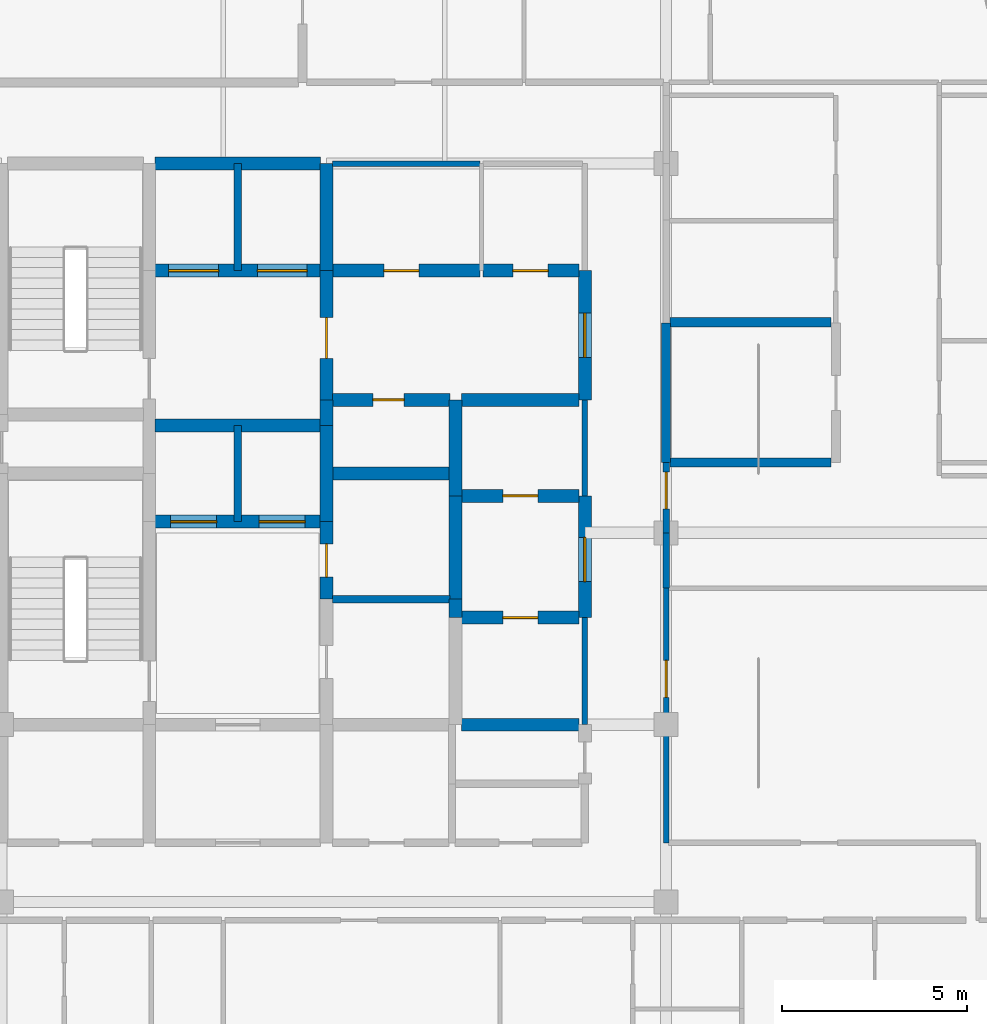
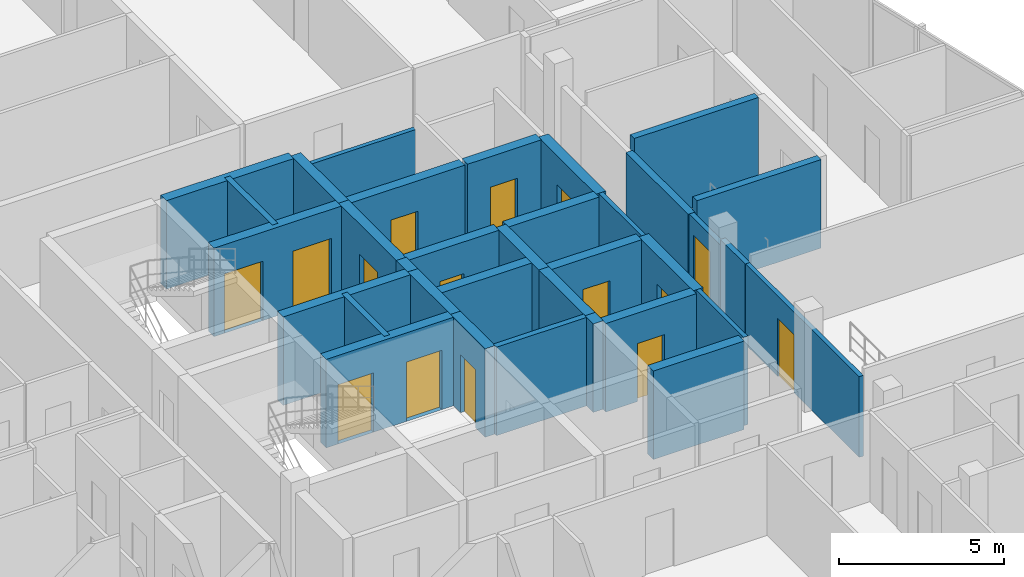
# One storey, part 24 of 27: 34 walls, 15 doors, 15 openings.
"""IFC4 building model written with IfcOpenShell, lengths in metres."""

from ifc_helpers import new_model, si_unit, direction, frame, frame_2d, origin, place, context, subcontext, project, spatial, rectangle, extrude, material, layer, layer_set, type_object, element, fill, save


model = new_model("IFC4")

# Units and contexts
model_context = context("Model", 3, precision=1e-05, world=origin(), true_north=direction((0.0, 1.0)))
body_context = subcontext(model_context, "Body", "Model", "MODEL_VIEW")
ifc_project = project(units=[si_unit("LENGTHUNIT", "METRE"), si_unit("AREAUNIT", "SQUARE_METRE"), si_unit("VOLUMEUNIT", "CUBIC_METRE"), si_unit("PLANEANGLEUNIT", "RADIAN"), si_unit("MASSUNIT", "GRAM", prefix="KILO")], contexts=[model_context])

# Site, building, storey
site_placement = place(None, origin())
site = spatial("IfcSite", under=ifc_project, at=site_placement, CompositionType="ELEMENT")
building_placement = place(site_placement, origin())
building = spatial("IfcBuilding", under=site, at=building_placement, Name="Keshet Zoharim Tower", CompositionType="ELEMENT")
storey_placement = place(building_placement, frame((0.0, 0.0, 311.0)))
storey = spatial("IfcBuildingStorey", under=building, at=storey_placement, Name="L78", CompositionType="ELEMENT", Elevation=311.0)

# Walls
ifc_material_1 = material(Name="Gypsum Plasterboard", Category="gypsum")
ifc_layer_1 = layer(ifc_material_1, 0.14990234375)
ifc_layer_set_1 = layer_set([ifc_layer_1], Name="Gypsum Plasterboard")
wall_type_1 = type_object("IfcWallType", Name="WL-CLIN-150", PredefinedType="STANDARD", material=ifc_layer_set_1)
wall_1_placement = place(storey_placement, frame((30.800048828125, 22.699951171875, 0.0), z_axis=(0.0, 0.0, 1.0), x_axis=(0.0, 1.0, 0.0)))
element("IfcWall", 1, at=wall_1_placement, inside=storey, type_object=wall_type_1, Name="L78 Interior Wall 055", PredefinedType="STANDARD", context=body_context, shape_type="SweptSolid", body=[
    extrude(rectangle(XDim=2.900146484375, YDim=0.14990234375, at=frame_2d((1.4501953125, 0.0))), origin(), (0.0, 0.0, 1.0), 3.280029296875),
])
wall_2_placement = place(storey_placement, frame((30.800048828125, 28.89990234375, 0.0), z_axis=(0.0, 0.0, 1.0), x_axis=(0.0, 1.0, 0.0)))
element("IfcWall", 2, at=wall_2_placement, inside=storey, type_object=wall_type_1, Name="L78 Interior Wall 057", PredefinedType="STANDARD", context=body_context, shape_type="SweptSolid", body=[
    extrude(rectangle(XDim=2.60009765625, YDim=0.14990234375, at=frame_2d((1.300048828125, 0.0))), origin(), (0.0, 0.0, 1.0), 3.280029296875),
])

# Wall, opening, door
wall_3_placement = place(storey_placement, frame((33.0, 19.5, 0.0), z_axis=(0.0, 0.0, 1.0), x_axis=(0.0, 1.0, 0.0)))
wall_3 = element("IfcWall", 3, at=wall_3_placement, inside=storey, type_object=wall_type_1, Name="L78 Interior Wall 063", PredefinedType="STANDARD", context=body_context, shape_type="SweptSolid", body=[
    extrude(rectangle(XDim=6.89990234375, YDim=0.14990234375, at=frame_2d((3.449951171875, 0.0))), origin(), (0.0, 0.0, 1.0), 2.989990234375),
])
opening_1_placement = place(wall_3_placement, frame((3.944091796875, 0.0, 0.0)))
opening_1 = element("IfcOpeningElement", 4, at=opening_1_placement, cuts=wall_3, Name="Opening D-F310", PredefinedType="OPENING", context=body_context, shape_type="SweptSolid", body=[
    extrude(rectangle(XDim=1.0, YDim=2.14990234375, at=frame_2d((0.5, 1.074951171875))), frame((0.0, 0.0849609375, 0.0), z_axis=(0.0, -1.0, 0.0), x_axis=(1.0, 0.0, 0.0)), (0.0, 0.0, 1.0), 0.169921875),
])
ifc_material_2 = material(Name="Hardwood Timber", Category="wood")
door_type_1 = type_object("IfcDoorType", Name="DR-FD30-100", OperationType="NOTDEFINED", PredefinedType="DOOR", material=ifc_material_2)
door_1_placement = place(opening_1_placement, origin())
door_1 = element("IfcDoor", 5, at=door_1_placement, inside=storey, type_object=door_type_1, Name="L78 South West Residents Services Suite Door 2", OperationType="SINGLE_SWING_LEFT", OverallHeight=2.14990234375, OverallWidth=1.0, PredefinedType="DOOR", context=body_context, shape_type="SweptSolid", body=[
    extrude(rectangle(XDim=1.0, YDim=2.14990234375, at=frame_2d((0.5, 1.074951171875))), frame((0.0, 0.02490234375, 0.0), z_axis=(0.0, -1.0, 0.0), x_axis=(1.0, 0.0, 0.0)), (0.0, 0.0, 1.0), 0.050048828125),
])
fill(opening_1, door_1)

# Wall
wall_4_placement = place(storey_placement, frame((23.9599609375, 37.89990234375, 0.0), z_axis=(0.0, 0.0, 1.0), x_axis=(1.0, 0.0, 0.0)))
element("IfcWall", 6, at=wall_4_placement, inside=storey, type_object=wall_type_1, Name="L78 Interior Wall 144", PredefinedType="STANDARD", context=body_context, shape_type="SweptSolid", body=[
    extrude(rectangle(XDim=3.9951171875, YDim=0.14990234375, at=frame_2d((1.99755859375, 0.0))), origin(), (0.0, 0.0, 1.0), 2.780029296875),
])

# Wall, opening, door
ifc_material_3 = material(Name="Concrete C60/75", Category="concrete")
ifc_layer_2 = layer(ifc_material_3, 0.35009765625)
ifc_layer_set_2 = layer_set([ifc_layer_2], Name="Concrete C60/75")
wall_type_2 = type_object("IfcWallType", Name="WL-CORE-350", PredefinedType="SHEAR", material=ifc_layer_set_2)
wall_5_placement = place(storey_placement, frame((23.800048828125, 26.10009765625, 0.0), z_axis=(0.0, 0.0, 1.0), x_axis=(0.0, 1.0, 0.0)))
wall_5 = element("IfcWall", 7, at=wall_5_placement, inside=storey, type_object=wall_type_2, Name="L78 Core Shear Wall 039", PredefinedType="SHEAR", context=body_context, shape_type="SweptSolid", body=[
    extrude(rectangle(XDim=2.099853515625, YDim=0.35009765625, at=frame_2d((1.0498046875, 0.0))), origin(), (0.0, 0.0, 1.0), 3.280029296875),
])
opening_2_placement = place(wall_5_placement, frame((0.60009765625, 0.0, 0.0)))
opening_2 = element("IfcOpeningElement", 8, at=opening_2_placement, cuts=wall_5, Name="Opening D-F690", PredefinedType="OPENING", context=body_context, shape_type="SweptSolid", body=[
    extrude(rectangle(XDim=0.89990234375, YDim=2.14990234375, at=frame_2d((0.449951171875, 1.074951171875))), frame((0.0, 0.18505859375, 0.0), z_axis=(0.0, -1.0, 0.0), x_axis=(1.0, 0.0, 0.0)), (0.0, 0.0, 1.0), 0.3701171875),
])
door_type_2 = type_object("IfcDoorType", Name="DR-FD60-090", OperationType="NOTDEFINED", PredefinedType="DOOR", material=ifc_material_2)
door_2_placement = place(opening_2_placement, origin())
door_2 = element("IfcDoor", 9, at=door_2_placement, inside=storey, type_object=door_type_2, Name="L78 Core Electrical Room Door", OperationType="SINGLE_SWING_RIGHT", OverallHeight=2.14990234375, OverallWidth=0.89990234375, PredefinedType="DOOR", context=body_context, shape_type="SweptSolid", body=[
    extrude(rectangle(XDim=0.89990234375, YDim=2.14990234375, at=frame_2d((0.449951171875, 1.074951171875))), frame((0.0, 0.02490234375, 0.0), z_axis=(0.0, -1.0, 0.0), x_axis=(1.0, 0.0, 0.0)), (0.0, 0.0, 1.0), 0.050048828125),
])
fill(opening_2, door_2)

# Walls
wall_6_placement = place(storey_placement, frame((23.800048828125, 28.199951171875, 0.0), z_axis=(0.0, 0.0, 1.0), x_axis=(0.0, 1.0, 0.0)))
element("IfcWall", 10, at=wall_6_placement, inside=storey, type_object=wall_type_2, Name="L78 Core Shear Wall 040", PredefinedType="SHEAR", context=body_context, shape_type="SweptSolid", body=[
    extrude(rectangle(XDim=2.60009765625, YDim=0.35009765625, at=frame_2d((1.300048828125, 0.0))), origin(), (0.0, 0.0, 1.0), 3.280029296875),
])
wall_7_placement = place(storey_placement, frame((23.800048828125, 30.800048828125, 0.0), z_axis=(0.0, 0.0, 1.0), x_axis=(0.0, 1.0, 0.0)))
element("IfcWall", 11, at=wall_7_placement, inside=storey, type_object=wall_type_2, Name="L78 Core Shear Wall 041", PredefinedType="SHEAR", context=body_context, shape_type="SweptSolid", body=[
    extrude(rectangle(XDim=0.699951171875, YDim=0.35009765625, at=frame_2d((0.35009765625, 0.0))), origin(), (0.0, 0.0, 1.0), 3.280029296875),
])

# Wall, opening, door
wall_8_placement = place(storey_placement, frame((23.800048828125, 31.5, 0.0), z_axis=(0.0, 0.0, 1.0), x_axis=(0.0, 1.0, 0.0)))
wall_8 = element("IfcWall", 12, at=wall_8_placement, inside=storey, type_object=wall_type_2, Name="L78 Core Shear Wall 042", PredefinedType="SHEAR", context=body_context, shape_type="SweptSolid", body=[
    extrude(rectangle(XDim=3.5, YDim=0.35009765625, at=frame_2d((1.75, 0.0))), origin(), (0.0, 0.0, 1.0), 3.280029296875),
])
opening_3_placement = place(wall_8_placement, frame((1.126953125, 0.0, 0.0)))
opening_3 = element("IfcOpeningElement", 13, at=opening_3_placement, cuts=wall_8, Name="Opening D-F611", PredefinedType="OPENING", context=body_context, shape_type="SweptSolid", body=[
    extrude(rectangle(XDim=1.10009765625, YDim=2.14990234375, at=frame_2d((0.550048828125, 1.074951171875))), frame((0.0, 0.18505859375, 0.0), z_axis=(0.0, -1.0, 0.0), x_axis=(1.0, 0.0, 0.0)), (0.0, 0.0, 1.0), 0.3701171875),
])
door_type_3 = type_object("IfcDoorType", Name="DR-FD60-110", OperationType="NOTDEFINED", PredefinedType="DOOR", material=ifc_material_2)
door_3_placement = place(opening_3_placement, origin())
door_3 = element("IfcDoor", 14, at=door_3_placement, inside=storey, type_object=door_type_3, Name="L78 Firefighting Lobby Fire Door", OperationType="SINGLE_SWING_LEFT", OverallHeight=2.14990234375, OverallWidth=1.10009765625, PredefinedType="DOOR", context=body_context, shape_type="SweptSolid", body=[
    extrude(rectangle(XDim=1.10009765625, YDim=2.14990234375, at=frame_2d((0.550048828125, 1.074951171875))), frame((0.0, 0.02490234375, 0.0), z_axis=(0.0, -1.0, 0.0), x_axis=(1.0, 0.0, 0.0)), (0.0, 0.0, 1.0), 0.050048828125),
])
fill(opening_3, door_3)

# Walls
wall_9_placement = place(storey_placement, frame((23.800048828125, 35.0, 0.0), z_axis=(0.0, 0.0, 1.0), x_axis=(0.0, 1.0, 0.0)))
element("IfcWall", 15, at=wall_9_placement, inside=storey, type_object=wall_type_2, Name="L78 Core Shear Wall 043", PredefinedType="SHEAR", context=body_context, shape_type="SweptSolid", body=[
    extrude(rectangle(XDim=2.89990234375, YDim=0.35009765625, at=frame_2d((1.449951171875, 0.0))), origin(), (0.0, 0.0, 1.0), 3.280029296875),
])
wall_10_placement = place(storey_placement, frame((27.300048828125, 25.60009765625, 0.0), z_axis=(0.0, 0.0, 1.0), x_axis=(0.0, 1.0, 0.0)))
element("IfcWall", 16, at=wall_10_placement, inside=storey, type_object=wall_type_2, Name="L78 Core Shear Wall 047", PredefinedType="SHEAR", context=body_context, shape_type="SweptSolid", body=[
    extrude(rectangle(XDim=0.5, YDim=0.35009765625, at=frame_2d((0.25, 0.0))), origin(), (0.0, 0.0, 1.0), 3.280029296875),
])
wall_11_placement = place(storey_placement, frame((27.300048828125, 26.10009765625, 0.0), z_axis=(0.0, 0.0, 1.0), x_axis=(0.0, 1.0, 0.0)))
element("IfcWall", 17, at=wall_11_placement, inside=storey, type_object=wall_type_2, Name="L78 Core Shear Wall 048", PredefinedType="SHEAR", context=body_context, shape_type="SweptSolid", body=[
    extrude(rectangle(XDim=2.7998046875, YDim=0.35009765625, at=frame_2d((1.39990234375, 0.0))), origin(), (0.0, 0.0, 1.0), 3.280029296875),
])
wall_12_placement = place(storey_placement, frame((27.300048828125, 28.89990234375, 0.0), z_axis=(0.0, 0.0, 1.0), x_axis=(0.0, 1.0, 0.0)))
element("IfcWall", 18, at=wall_12_placement, inside=storey, type_object=wall_type_2, Name="L78 Core Shear Wall 049", PredefinedType="SHEAR", context=body_context, shape_type="SweptSolid", body=[
    extrude(rectangle(XDim=2.60009765625, YDim=0.35009765625, at=frame_2d((1.300048828125, 0.0))), origin(), (0.0, 0.0, 1.0), 3.280029296875),
])

# Wall, opening, door
wall_13_placement = place(storey_placement, frame((30.800048828125, 25.60009765625, 0.0), z_axis=(0.0, 0.0, 1.0), x_axis=(0.0, 1.0, 0.0)))
wall_13 = element("IfcWall", 19, at=wall_13_placement, inside=storey, type_object=wall_type_2, Name="L78 Core Shear Wall 056", PredefinedType="SHEAR", context=body_context, shape_type="SweptSolid", body=[
    extrude(rectangle(XDim=3.2998046875, YDim=0.35009765625, at=frame_2d((1.64990234375, 0.0))), origin(), (0.0, 0.0, 1.0), 3.280029296875),
])
opening_4_placement = place(wall_13_placement, frame((0.97802734375, 0.0, 0.0)))
opening_4 = element("IfcOpeningElement", 20, at=opening_4_placement, cuts=wall_13, Name="Opening D-F612", PredefinedType="OPENING", context=body_context, shape_type="SweptSolid", body=[
    extrude(rectangle(XDim=1.199951171875, YDim=2.199951171875, at=frame_2d((0.60009765625, 1.10009765625))), frame((0.0, 0.18505859375, 0.0), z_axis=(0.0, -1.0, 0.0), x_axis=(1.0, 0.0, 0.0)), (0.0, 0.0, 1.0), 0.3701171875),
])
door_type_4 = type_object("IfcDoorType", Name="DR-FD60-120", OperationType="NOTDEFINED", PredefinedType="DOOR", material=ifc_material_2)
door_4_placement = place(opening_4_placement, origin())
door_4 = element("IfcDoor", 21, at=door_4_placement, inside=storey, type_object=door_type_4, Name="L78 East Lift Lobby Fire Door", OperationType="SINGLE_SWING_RIGHT", OverallHeight=2.199951171875, OverallWidth=1.199951171875, PredefinedType="DOOR", context=body_context, shape_type="SweptSolid", body=[
    extrude(rectangle(XDim=1.199951171875, YDim=2.199951171875, at=frame_2d((0.60009765625, 1.10009765625))), frame((0.0, 0.02490234375, 0.0), z_axis=(0.0, -1.0, 0.0), x_axis=(1.0, 0.0, 0.0)), (0.0, 0.0, 1.0), 0.050048828125),
])
fill(opening_4, door_4)

wall_14_placement = place(storey_placement, frame((30.800048828125, 31.5, 0.0), z_axis=(0.0, 0.0, 1.0), x_axis=(0.0, 1.0, 0.0)))
wall_14 = element("IfcWall", 22, at=wall_14_placement, inside=storey, type_object=wall_type_2, Name="L78 Core Shear Wall 058", PredefinedType="SHEAR", context=body_context, shape_type="SweptSolid", body=[
    extrude(rectangle(XDim=3.5, YDim=0.35009765625, at=frame_2d((1.75, 0.0))), origin(), (0.0, 0.0, 1.0), 3.280029296875),
])
opening_5_placement = place(wall_14_placement, frame((1.14990234375, 0.0, 0.0)))
opening_5 = element("IfcOpeningElement", 23, at=opening_5_placement, cuts=wall_14, Name="Opening D-F612", PredefinedType="OPENING", context=body_context, shape_type="SweptSolid", body=[
    extrude(rectangle(XDim=1.199951171875, YDim=2.199951171875, at=frame_2d((0.60009765625, 1.10009765625))), frame((0.0, 0.18505859375, 0.0), z_axis=(0.0, -1.0, 0.0), x_axis=(1.0, 0.0, 0.0)), (0.0, 0.0, 1.0), 0.3701171875),
])
door_5_placement = place(opening_5_placement, origin())
door_5 = element("IfcDoor", 24, at=door_5_placement, inside=storey, type_object=door_type_4, Name="L78 North Lift Lobby East Fire Door", OperationType="SINGLE_SWING_LEFT", OverallHeight=2.199951171875, OverallWidth=1.199951171875, PredefinedType="DOOR", context=body_context, shape_type="SweptSolid", body=[
    extrude(rectangle(XDim=1.199951171875, YDim=2.199951171875, at=frame_2d((0.60009765625, 1.10009765625))), frame((0.0, 0.02490234375, 0.0), z_axis=(0.0, -1.0, 0.0), x_axis=(1.0, 0.0, 0.0)), (0.0, 0.0, 1.0), 0.050048828125),
])
fill(opening_5, door_5)

# Wall
wall_15_placement = place(storey_placement, frame((27.4599609375, 22.699951171875, 0.0), z_axis=(0.0, 0.0, 1.0), x_axis=(1.0, 0.0, 0.0)))
element("IfcWall", 25, at=wall_15_placement, inside=storey, type_object=wall_type_2, Name="L78 Core Shear Wall 111", PredefinedType="SHEAR", context=body_context, shape_type="SweptSolid", body=[
    extrude(rectangle(XDim=3.179931640625, YDim=0.35009765625, at=frame_2d((1.58984375, 0.0))), origin(), (0.0, 0.0, 1.0), 3.280029296875),
])

# Wall, opening, door
wall_16_placement = place(storey_placement, frame((27.4599609375, 25.60009765625, 0.0), z_axis=(0.0, 0.0, 1.0), x_axis=(1.0, 0.0, 0.0)))
wall_16 = element("IfcWall", 26, at=wall_16_placement, inside=storey, type_object=wall_type_2, Name="L78 Core Shear Wall 114", PredefinedType="SHEAR", context=body_context, shape_type="SweptSolid", body=[
    extrude(rectangle(XDim=3.179931640625, YDim=0.35009765625, at=frame_2d((1.58984375, 0.0))), origin(), (0.0, 0.0, 1.0), 3.280029296875),
])
opening_6_placement = place(wall_16_placement, frame((1.114990234375, 0.0, 0.0)))
opening_6 = element("IfcOpeningElement", 27, at=opening_6_placement, cuts=wall_16, Name="Opening D-F695", PredefinedType="OPENING", context=body_context, shape_type="SweptSolid", body=[
    extrude(rectangle(XDim=0.949951171875, YDim=2.14990234375, at=frame_2d((0.47509765625, 1.074951171875))), frame((0.0, 0.18505859375, 0.0), z_axis=(0.0, -1.0, 0.0), x_axis=(1.0, 0.0, 0.0)), (0.0, 0.0, 1.0), 0.3701171875),
])
door_type_5 = type_object("IfcDoorType", Name="DR-FD60-095", OperationType="NOTDEFINED", PredefinedType="DOOR", material=ifc_material_2)
door_6_placement = place(opening_6_placement, origin())
door_6 = element("IfcDoor", 28, at=door_6_placement, inside=storey, type_object=door_type_5, Name="L78 Study Alcove Door", OperationType="SINGLE_SWING_RIGHT", OverallHeight=2.14990234375, OverallWidth=0.949951171875, PredefinedType="DOOR", context=body_context, shape_type="SweptSolid", body=[
    extrude(rectangle(XDim=0.949951171875, YDim=2.14990234375, at=frame_2d((0.47509765625, 1.074951171875))), frame((0.0, 0.02490234375, 0.0), z_axis=(0.0, -1.0, 0.0), x_axis=(1.0, 0.0, 0.0)), (0.0, 0.0, 1.0), 0.050048828125),
])
fill(opening_6, door_6)

# Wall, openings, doors
wall_17_placement = place(storey_placement, frame((19.159912109375, 28.199951171875, 0.0), z_axis=(0.0, 0.0, 1.0), x_axis=(1.0, 0.0, 0.0)))
wall_17 = element("IfcWall", 29, at=wall_17_placement, inside=storey, type_object=wall_type_2, Name="L78 Core Shear Wall 119", PredefinedType="SHEAR", context=body_context, shape_type="SweptSolid", body=[
    extrude(rectangle(XDim=4.47998046875, YDim=0.35009765625, at=frame_2d((2.239990234375, 0.0))), origin(), (0.0, 0.0, 1.0), 3.280029296875),
])
opening_7_placement = place(wall_17_placement, frame((0.4150390625, 0.0, 0.0)))
opening_7 = element("IfcOpeningElement", 30, at=opening_7_placement, cuts=wall_17, Name="Opening LD-01", PredefinedType="OPENING", context=body_context, shape_type="SweptSolid", body=[
    extrude(rectangle(XDim=1.25, YDim=2.199951171875, at=frame_2d((0.625, 1.10009765625))), frame((0.0, 0.18505859375, 0.0), z_axis=(0.0, -1.0, 0.0), x_axis=(1.0, 0.0, 0.0)), (0.0, 0.0, 1.0), 0.3701171875),
])
opening_8_placement = place(wall_17_placement, frame((2.81494140625, 0.0, 0.0)))
opening_8 = element("IfcOpeningElement", 31, at=opening_8_placement, cuts=wall_17, Name="Opening LD-01", PredefinedType="OPENING", context=body_context, shape_type="SweptSolid", body=[
    extrude(rectangle(XDim=1.25, YDim=2.199951171875, at=frame_2d((0.625, 1.10009765625))), frame((0.0, 0.18505859375, 0.0), z_axis=(0.0, -1.0, 0.0), x_axis=(1.0, 0.0, 0.0)), (0.0, 0.0, 1.0), 0.3701171875),
])
ifc_material_4 = material(Name="Steel S355", Category="steel")
door_type_6 = type_object("IfcDoorType", Name="DR-LD01-125", OperationType="DOUBLE_DOOR_SLIDING", PredefinedType="DOOR", material=ifc_material_4)
door_7_placement = place(opening_7_placement, origin())
door_7 = element("IfcDoor", 32, at=door_7_placement, inside=storey, type_object=door_type_6, Name="L78 Passenger Lift Landing Door LF-09", OperationType="DOUBLE_DOOR_SLIDING", OverallHeight=2.199951171875, OverallWidth=1.25, PredefinedType="DOOR", context=body_context, shape_type="SweptSolid", body=[
    extrude(rectangle(XDim=1.25, YDim=2.199951171875, at=frame_2d((0.625, 1.10009765625))), frame((0.0, 0.02490234375, 0.0), z_axis=(0.0, -1.0, 0.0), x_axis=(1.0, 0.0, 0.0)), (0.0, 0.0, 1.0), 0.050048828125),
])
fill(opening_7, door_7)
door_8_placement = place(opening_8_placement, origin())
door_8 = element("IfcDoor", 33, at=door_8_placement, inside=storey, type_object=door_type_6, Name="L78 Passenger Lift Landing Door LF-10", OperationType="DOUBLE_DOOR_SLIDING", OverallHeight=2.199951171875, OverallWidth=1.25, PredefinedType="DOOR", context=body_context, shape_type="SweptSolid", body=[
    extrude(rectangle(XDim=1.25, YDim=2.199951171875, at=frame_2d((0.625, 1.10009765625))), frame((0.0, 0.02490234375, 0.0), z_axis=(0.0, -1.0, 0.0), x_axis=(1.0, 0.0, 0.0)), (0.0, 0.0, 1.0), 0.050048828125),
])
fill(opening_8, door_8)

# Wall, opening, door
wall_18_placement = place(storey_placement, frame((27.4599609375, 28.89990234375, 0.0), z_axis=(0.0, 0.0, 1.0), x_axis=(1.0, 0.0, 0.0)))
wall_18 = element("IfcWall", 34, at=wall_18_placement, inside=storey, type_object=wall_type_2, Name="L78 Core Shear Wall 124", PredefinedType="SHEAR", context=body_context, shape_type="SweptSolid", body=[
    extrude(rectangle(XDim=3.179931640625, YDim=0.35009765625, at=frame_2d((1.58984375, 0.0))), origin(), (0.0, 0.0, 1.0), 3.280029296875),
])
opening_9_placement = place(wall_18_placement, frame((1.114990234375, 0.0, 0.0)))
opening_9 = element("IfcOpeningElement", 35, at=opening_9_placement, cuts=wall_18, Name="Opening D-F695", PredefinedType="OPENING", context=body_context, shape_type="SweptSolid", body=[
    extrude(rectangle(XDim=0.949951171875, YDim=2.14990234375, at=frame_2d((0.47509765625, 1.074951171875))), frame((0.0, 0.18505859375, 0.0), z_axis=(0.0, -1.0, 0.0), x_axis=(1.0, 0.0, 0.0)), (0.0, 0.0, 1.0), 0.3701171875),
])
door_9_placement = place(opening_9_placement, frame((0.949951171875, 0.0, 0.0), z_axis=(0.0, 0.0, 1.0), x_axis=(-1.0, 0.0, 0.0)))
door_9 = element("IfcDoor", 36, at=door_9_placement, inside=storey, type_object=door_type_5, Name="L78 Parcel Store Door", OperationType="SINGLE_SWING_LEFT", OverallHeight=2.14990234375, OverallWidth=0.949951171875, PredefinedType="DOOR", context=body_context, shape_type="SweptSolid", body=[
    extrude(rectangle(XDim=0.949951171875, YDim=2.14990234375, at=frame_2d((0.47509765625, 1.074951171875))), frame((0.0, 0.02490234375, 0.0), z_axis=(0.0, -1.0, 0.0), x_axis=(1.0, 0.0, 0.0)), (0.0, 0.0, 1.0), 0.050048828125),
])
fill(opening_9, door_9)

# Walls
wall_19_placement = place(storey_placement, frame((23.9599609375, 29.5, 0.0), z_axis=(0.0, 0.0, 1.0), x_axis=(1.0, 0.0, 0.0)))
element("IfcWall", 37, at=wall_19_placement, inside=storey, type_object=wall_type_2, Name="L78 Core Shear Wall 127", PredefinedType="SHEAR", context=body_context, shape_type="SweptSolid", body=[
    extrude(rectangle(XDim=3.179931640625, YDim=0.35009765625, at=frame_2d((1.58984375, 0.0))), origin(), (0.0, 0.0, 1.0), 3.280029296875),
])
wall_20_placement = place(storey_placement, frame((19.159912109375, 30.800048828125, 0.0), z_axis=(0.0, 0.0, 1.0), x_axis=(1.0, 0.0, 0.0)))
element("IfcWall", 38, at=wall_20_placement, inside=storey, type_object=wall_type_2, Name="L78 Core Shear Wall 130", PredefinedType="SHEAR", context=body_context, shape_type="SweptSolid", body=[
    extrude(rectangle(XDim=4.47998046875, YDim=0.35009765625, at=frame_2d((2.239990234375, 0.0))), origin(), (0.0, 0.0, 1.0), 3.280029296875),
])

# Wall, opening, door
wall_21_placement = place(storey_placement, frame((23.9599609375, 31.5, 0.0), z_axis=(0.0, 0.0, 1.0), x_axis=(1.0, 0.0, 0.0)))
wall_21 = element("IfcWall", 39, at=wall_21_placement, inside=storey, type_object=wall_type_2, Name="L78 Core Shear Wall 134", PredefinedType="SHEAR", context=body_context, shape_type="SweptSolid", body=[
    extrude(rectangle(XDim=3.179931640625, YDim=0.35009765625, at=frame_2d((1.58984375, 0.0))), origin(), (0.0, 0.0, 1.0), 3.280029296875),
])
opening_10_placement = place(wall_21_placement, frame((1.093994140625, 0.0, 0.0)))
opening_10 = element("IfcOpeningElement", 40, at=opening_10_placement, cuts=wall_21, Name="Opening D-RS85", PredefinedType="OPENING", context=body_context, shape_type="SweptSolid", body=[
    extrude(rectangle(XDim=0.85009765625, YDim=2.10009765625, at=frame_2d((0.425048828125, 1.050048828125))), frame((0.0, 0.18505859375, 0.0), z_axis=(0.0, -1.0, 0.0), x_axis=(1.0, 0.0, 0.0)), (0.0, 0.0, 1.0), 0.3701171875),
])
door_type_7 = type_object("IfcDoorType", Name="DR-RIS-085", OperationType="NOTDEFINED", PredefinedType="DOOR", material=ifc_material_2)
door_10_placement = place(opening_10_placement, origin())
door_10 = element("IfcDoor", 41, at=door_10_placement, inside=storey, type_object=door_type_7, Name="L78 Telecom Riser Access Cupboard Door", OperationType="SINGLE_SWING_RIGHT", OverallHeight=2.10009765625, OverallWidth=0.85009765625, PredefinedType="DOOR", context=body_context, shape_type="SweptSolid", body=[
    extrude(rectangle(XDim=0.85009765625, YDim=2.10009765625, at=frame_2d((0.425048828125, 1.050048828125))), frame((0.0, 0.02490234375, 0.0), z_axis=(0.0, -1.0, 0.0), x_axis=(1.0, 0.0, 0.0)), (0.0, 0.0, 1.0), 0.050048828125),
])
fill(opening_10, door_10)

# Wall
wall_22_placement = place(storey_placement, frame((27.4599609375, 31.5, 0.0), z_axis=(0.0, 0.0, 1.0), x_axis=(1.0, 0.0, 0.0)))
element("IfcWall", 42, at=wall_22_placement, inside=storey, type_object=wall_type_2, Name="L78 Core Shear Wall 135", PredefinedType="SHEAR", context=body_context, shape_type="SweptSolid", body=[
    extrude(rectangle(XDim=3.179931640625, YDim=0.35009765625, at=frame_2d((1.58984375, 0.0))), origin(), (0.0, 0.0, 1.0), 3.280029296875),
])

# Wall, openings, doors
wall_23_placement = place(storey_placement, frame((19.159912109375, 35.0, 0.0), z_axis=(0.0, 0.0, 1.0), x_axis=(1.0, 0.0, 0.0)))
wall_23 = element("IfcWall", 43, at=wall_23_placement, inside=storey, type_object=wall_type_2, Name="L78 Core Shear Wall 138", PredefinedType="SHEAR", context=body_context, shape_type="SweptSolid", body=[
    extrude(rectangle(XDim=4.47998046875, YDim=0.35009765625, at=frame_2d((2.239990234375, 0.0))), origin(), (0.0, 0.0, 1.0), 3.280029296875),
])
opening_11_placement = place(wall_23_placement, frame((0.364990234375, 0.0, 0.0)))
opening_11 = element("IfcOpeningElement", 44, at=opening_11_placement, cuts=wall_23, Name="Opening LD-02", PredefinedType="OPENING", context=body_context, shape_type="SweptSolid", body=[
    extrude(rectangle(XDim=1.35009765625, YDim=2.199951171875, at=frame_2d((0.675048828125, 1.10009765625))), frame((0.0, 0.18505859375, 0.0), z_axis=(0.0, -1.0, 0.0), x_axis=(1.0, 0.0, 0.0)), (0.0, 0.0, 1.0), 0.3701171875),
])
opening_12_placement = place(wall_23_placement, frame((2.764892578125, 0.0, 0.0)))
opening_12 = element("IfcOpeningElement", 45, at=opening_12_placement, cuts=wall_23, Name="Opening LD-02", PredefinedType="OPENING", context=body_context, shape_type="SweptSolid", body=[
    extrude(rectangle(XDim=1.35009765625, YDim=2.199951171875, at=frame_2d((0.675048828125, 1.10009765625))), frame((0.0, 0.18505859375, 0.0), z_axis=(0.0, -1.0, 0.0), x_axis=(1.0, 0.0, 0.0)), (0.0, 0.0, 1.0), 0.3701171875),
])
door_type_8 = type_object("IfcDoorType", Name="DR-LD02-135", OperationType="DOUBLE_DOOR_SLIDING", PredefinedType="DOOR", material=ifc_material_4)
door_11_placement = place(opening_11_placement, origin())
door_11 = element("IfcDoor", 46, at=door_11_placement, inside=storey, type_object=door_type_8, Name="L78 Firefighting Lift Landing Door FF-01", OperationType="DOUBLE_DOOR_SLIDING", OverallHeight=2.199951171875, OverallWidth=1.35009765625, PredefinedType="DOOR", context=body_context, shape_type="SweptSolid", body=[
    extrude(rectangle(XDim=1.35009765625, YDim=2.199951171875, at=frame_2d((0.675048828125, 1.10009765625))), frame((0.0, 0.02490234375, 0.0), z_axis=(0.0, -1.0, 0.0), x_axis=(1.0, 0.0, 0.0)), (0.0, 0.0, 1.0), 0.050048828125),
])
fill(opening_11, door_11)
door_12_placement = place(opening_12_placement, origin())
door_12 = element("IfcDoor", 47, at=door_12_placement, inside=storey, type_object=door_type_8, Name="L78 Firefighting Lift Landing Door FF-02", OperationType="DOUBLE_DOOR_SLIDING", OverallHeight=2.199951171875, OverallWidth=1.35009765625, PredefinedType="DOOR", context=body_context, shape_type="SweptSolid", body=[
    extrude(rectangle(XDim=1.35009765625, YDim=2.199951171875, at=frame_2d((0.675048828125, 1.10009765625))), frame((0.0, 0.02490234375, 0.0), z_axis=(0.0, -1.0, 0.0), x_axis=(1.0, 0.0, 0.0)), (0.0, 0.0, 1.0), 0.050048828125),
])
fill(opening_12, door_12)

# Wall, opening, door
wall_24_placement = place(storey_placement, frame((23.9599609375, 35.0, 0.0), z_axis=(0.0, 0.0, 1.0), x_axis=(1.0, 0.0, 0.0)))
wall_24 = element("IfcWall", 48, at=wall_24_placement, inside=storey, type_object=wall_type_2, Name="L78 Core Shear Wall 139", PredefinedType="SHEAR", context=body_context, shape_type="SweptSolid", body=[
    extrude(rectangle(XDim=3.9951171875, YDim=0.35009765625, at=frame_2d((1.99755859375, 0.0))), origin(), (0.0, 0.0, 1.0), 3.280029296875),
])
opening_13_placement = place(wall_24_placement, frame((1.39306640625, 0.0, 0.0)))
opening_13 = element("IfcOpeningElement", 49, at=opening_13_placement, cuts=wall_24, Name="Opening D-F695", PredefinedType="OPENING", context=body_context, shape_type="SweptSolid", body=[
    extrude(rectangle(XDim=0.949951171875, YDim=2.14990234375, at=frame_2d((0.47509765625, 1.074951171875))), frame((0.0, 0.18505859375, 0.0), z_axis=(0.0, -1.0, 0.0), x_axis=(1.0, 0.0, 0.0)), (0.0, 0.0, 1.0), 0.3701171875),
])
door_13_placement = place(opening_13_placement, frame((0.949951171875, 0.0, 0.0), z_axis=(0.0, 0.0, 1.0), x_axis=(-1.0, 0.0, 0.0)))
door_13 = element("IfcDoor", 50, at=door_13_placement, inside=storey, type_object=door_type_5, Name="L78 Laundry Room Door", OperationType="SINGLE_SWING_LEFT", OverallHeight=2.14990234375, OverallWidth=0.949951171875, PredefinedType="DOOR", context=body_context, shape_type="SweptSolid", body=[
    extrude(rectangle(XDim=0.949951171875, YDim=2.14990234375, at=frame_2d((0.47509765625, 1.074951171875))), frame((0.0, 0.02490234375, 0.0), z_axis=(0.0, -1.0, 0.0), x_axis=(1.0, 0.0, 0.0)), (0.0, 0.0, 1.0), 0.050048828125),
])
fill(opening_13, door_13)

wall_25_placement = place(storey_placement, frame((28.044921875, 35.0, 0.0), z_axis=(0.0, 0.0, 1.0), x_axis=(1.0, 0.0, 0.0)))
wall_25 = element("IfcWall", 51, at=wall_25_placement, inside=storey, type_object=wall_type_2, Name="L78 Core Shear Wall 140", PredefinedType="SHEAR", context=body_context, shape_type="SweptSolid", body=[
    extrude(rectangle(XDim=2.594970703125, YDim=0.35009765625, at=frame_2d((1.29736328125, 0.0))), origin(), (0.0, 0.0, 1.0), 3.280029296875),
])
opening_14_placement = place(wall_25_placement, frame((0.805908203125, 0.0, 0.0)))
opening_14 = element("IfcOpeningElement", 52, at=opening_14_placement, cuts=wall_25, Name="Opening D-F695", PredefinedType="OPENING", context=body_context, shape_type="SweptSolid", body=[
    extrude(rectangle(XDim=0.949951171875, YDim=2.14990234375, at=frame_2d((0.47509765625, 1.074951171875))), frame((0.0, 0.18505859375, 0.0), z_axis=(0.0, -1.0, 0.0), x_axis=(1.0, 0.0, 0.0)), (0.0, 0.0, 1.0), 0.3701171875),
])
door_14_placement = place(opening_14_placement, frame((0.949951171875, 0.0, 0.0), z_axis=(0.0, 0.0, 1.0), x_axis=(-1.0, 0.0, 0.0)))
door_14 = element("IfcDoor", 53, at=door_14_placement, inside=storey, type_object=door_type_5, Name="L78 Quiet Study Room Door", OperationType="SINGLE_SWING_RIGHT", OverallHeight=2.14990234375, OverallWidth=0.949951171875, PredefinedType="DOOR", context=body_context, shape_type="SweptSolid", body=[
    extrude(rectangle(XDim=0.949951171875, YDim=2.14990234375, at=frame_2d((0.47509765625, 1.074951171875))), frame((0.0, 0.02490234375, 0.0), z_axis=(0.0, -1.0, 0.0), x_axis=(1.0, 0.0, 0.0)), (0.0, 0.0, 1.0), 0.050048828125),
])
fill(opening_14, door_14)

# Walls
wall_26_placement = place(storey_placement, frame((19.159912109375, 37.89990234375, 0.0), z_axis=(0.0, 0.0, 1.0), x_axis=(1.0, 0.0, 0.0)))
element("IfcWall", 54, at=wall_26_placement, inside=storey, type_object=wall_type_2, Name="L78 Core Shear Wall 143", PredefinedType="SHEAR", context=body_context, shape_type="SweptSolid", body=[
    extrude(rectangle(XDim=4.47998046875, YDim=0.35009765625, at=frame_2d((2.239990234375, 0.0))), origin(), (0.0, 0.0, 1.0), 3.280029296875),
])
ifc_layer_3 = layer(ifc_material_1, 0.179931640625)
ifc_layer_set_3 = layer_set([ifc_layer_3], Name="Gypsum Plasterboard")
wall_type_3 = type_object("IfcWallType", Name="WL-CORR-180", PredefinedType="STANDARD", material=ifc_layer_set_3)
wall_27_placement = place(storey_placement, frame((33.0, 26.39990234375, 0.0), z_axis=(0.0, 0.0, 1.0), x_axis=(0.0, 1.0, 0.0)))
element("IfcWall", 55, at=wall_27_placement, inside=storey, type_object=wall_type_3, Name="L78 Interior Wall 064", PredefinedType="STANDARD", context=body_context, shape_type="SweptSolid", body=[
    extrude(rectangle(XDim=1.5, YDim=0.179931640625, at=frame_2d((0.75, 0.0))), origin(), (0.0, 0.0, 1.0), 2.989990234375),
])

# Wall, opening, door
wall_28_placement = place(storey_placement, frame((33.0, 27.89990234375, 0.0), z_axis=(0.0, 0.0, 1.0), x_axis=(0.0, 1.0, 0.0)))
wall_28 = element("IfcWall", 56, at=wall_28_placement, inside=storey, type_object=wall_type_3, Name="L78 Interior Wall 064 Part 2", PredefinedType="STANDARD", context=body_context, shape_type="SweptSolid", body=[
    extrude(rectangle(XDim=1.900146484375, YDim=0.179931640625, at=frame_2d((0.9501953125, 0.0))), origin(), (0.0, 0.0, 1.0), 2.780029296875),
])
opening_15_placement = place(wall_28_placement, frame((0.64501953125, 0.0, 0.0)))
opening_15 = element("IfcOpeningElement", 57, at=opening_15_placement, cuts=wall_28, Name="Opening D-F310", PredefinedType="OPENING", context=body_context, shape_type="SweptSolid", body=[
    extrude(rectangle(XDim=1.0, YDim=2.14990234375, at=frame_2d((0.5, 1.074951171875))), frame((0.0, 0.10009765625, 0.0), z_axis=(0.0, -1.0, 0.0), x_axis=(1.0, 0.0, 0.0)), (0.0, 0.0, 1.0), 0.199951171875),
])
door_15_placement = place(opening_15_placement, origin())
door_15 = element("IfcDoor", 58, at=door_15_placement, inside=storey, type_object=door_type_1, Name="Apartment 7807 Entrance Door", OperationType="SINGLE_SWING_RIGHT", OverallHeight=2.14990234375, OverallWidth=1.0, PredefinedType="DOOR", context=body_context, shape_type="SweptSolid", body=[
    extrude(rectangle(XDim=1.0, YDim=2.14990234375, at=frame_2d((0.5, 1.074951171875))), frame((0.0, 0.02490234375, 0.0), z_axis=(0.0, -1.0, 0.0), x_axis=(1.0, 0.0, 0.0)), (0.0, 0.0, 1.0), 0.050048828125),
])
fill(opening_15, door_15)

# Walls
ifc_material_5 = material(Name="Concrete C50/60", Category="concrete")
ifc_layer_4 = layer(ifc_material_5, 0.199951171875)
ifc_layer_set_4 = layer_set([ifc_layer_4], Name="Concrete C50/60")
wall_type_4 = type_object("IfcWallType", Name="WL-FIRE-200", PredefinedType="STANDARD", material=ifc_layer_set_4)
wall_29_placement = place(storey_placement, frame((21.39990234375, 28.199951171875, 0.0), z_axis=(0.0, 0.0, 1.0), x_axis=(0.0, 1.0, 0.0)))
element("IfcWall", 59, at=wall_29_placement, inside=storey, type_object=wall_type_4, Name="L78 Interior Wall 032", PredefinedType="STANDARD", context=body_context, shape_type="SweptSolid", body=[
    extrude(rectangle(XDim=2.60009765625, YDim=0.199951171875, at=frame_2d((1.300048828125, 0.0))), origin(), (0.0, 0.0, 1.0), 3.280029296875),
])
wall_30_placement = place(storey_placement, frame((21.39990234375, 35.0, 0.0), z_axis=(0.0, 0.0, 1.0), x_axis=(0.0, 1.0, 0.0)))
element("IfcWall", 60, at=wall_30_placement, inside=storey, type_object=wall_type_4, Name="L78 Interior Wall 033", PredefinedType="STANDARD", context=body_context, shape_type="SweptSolid", body=[
    extrude(rectangle(XDim=2.89990234375, YDim=0.199951171875, at=frame_2d((1.449951171875, 0.0))), origin(), (0.0, 0.0, 1.0), 3.280029296875),
])
wall_31_placement = place(storey_placement, frame((23.9599609375, 26.10009765625, 0.0), z_axis=(0.0, 0.0, 1.0), x_axis=(1.0, 0.0, 0.0)))
element("IfcWall", 61, at=wall_31_placement, inside=storey, type_object=wall_type_4, Name="L78 Interior Wall 117", PredefinedType="STANDARD", context=body_context, shape_type="SweptSolid", body=[
    extrude(rectangle(XDim=3.179931640625, YDim=0.199951171875, at=frame_2d((1.58984375, 0.0))), origin(), (0.0, 0.0, 1.0), 3.280029296875),
])
ifc_layer_5 = layer(ifc_material_5, 0.25)
ifc_layer_set_5 = layer_set([ifc_layer_5], Name="Concrete C50/60")
wall_type_5 = type_object("IfcWallType", Name="WL-MAMAD-250", PredefinedType="STANDARD", material=ifc_layer_set_5)
wall_32_placement = place(storey_placement, frame((33.0, 29.800048828125, 0.0), z_axis=(0.0, 0.0, 1.0), x_axis=(0.0, 1.0, 0.0)))
element("IfcWall", 62, at=wall_32_placement, inside=storey, type_object=wall_type_5, Name="L78 Interior Wall 065", PredefinedType="STANDARD", context=body_context, shape_type="SweptSolid", body=[
    extrude(rectangle(XDim=3.781005859375, YDim=0.25, at=frame_2d((1.890625, 0.0))), origin(), (0.0, 0.0, 1.0), 2.780029296875),
])
for number, where, z_axis, x_axis, name in (
    (63, (33.110107421875, 29.800048828125, 0.0), (0.0, 0.0, 1.0), (1.0, 0.0, 0.0), "L78 Interior Wall 128"),
    (64, (33.110107421875, 33.60009765625, 0.0), (0.0, 0.0, 1.0), (1.0, 0.0, 0.0), "L78 Interior Wall 137"),
):
    element("IfcWall", number, at=place(storey_placement, frame(where, z_axis=z_axis, x_axis=x_axis)), inside=storey, type_object=wall_type_5, Name=name, PredefinedType="STANDARD", context=body_context, shape_type="SweptSolid", body=[
        extrude(rectangle(XDim=4.35986328125, YDim=0.25, at=frame_2d((2.179931640625, 0.0))), origin(), (0.0, 0.0, 1.0), 3.280029296875),
    ])

save(model, "model.ifc")
